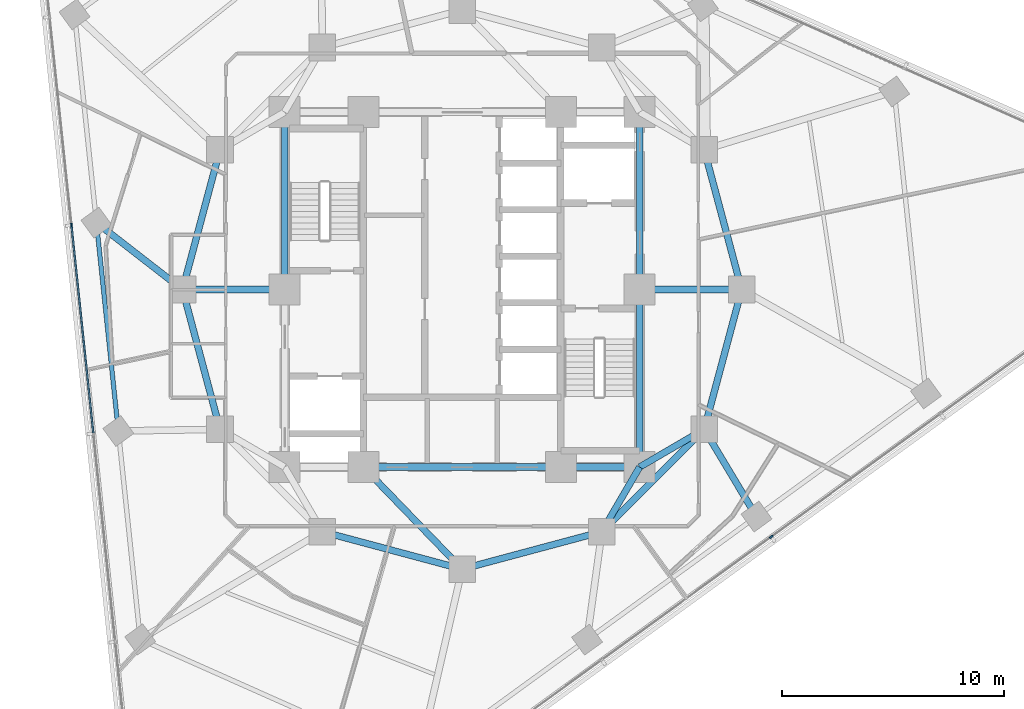
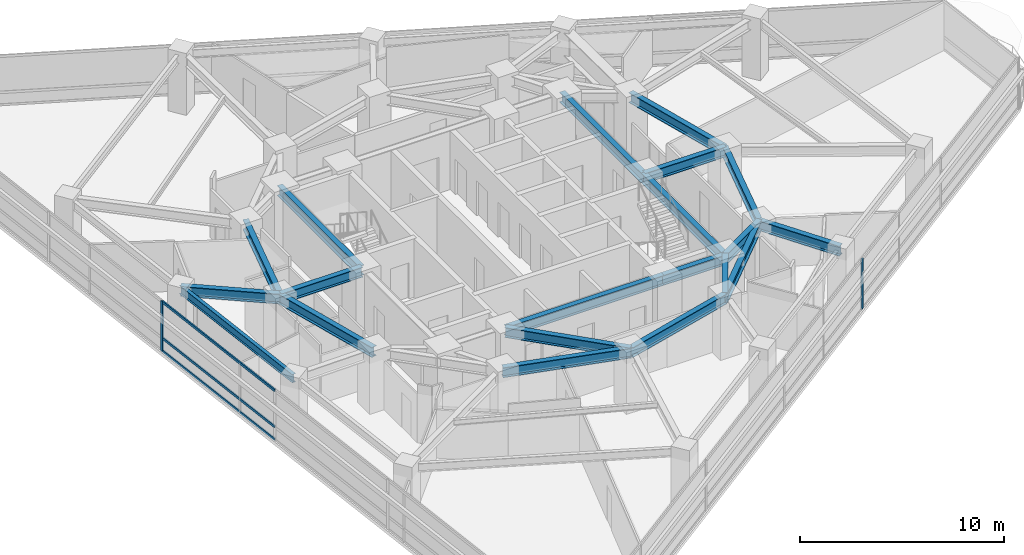
# One storey, part 3 of 14: 20 beams, 5 members, 2 elements without a shape of their own.
"""IFC4 building model written with IfcOpenShell, lengths in metres."""

from ifc_helpers import new_model, si_unit, direction, frame, origin, origin_2d, place, context, subcontext, project, spatial, rectangle, i_section, extrude, material, layer, layer_set, material_profile, profile_set, type_object, element, aggregate, save


model = new_model("IFC4")

# Units and contexts
model_context = context("Model", 3, precision=1e-05, world=origin(), true_north=direction((0.0, 1.0)))
body_context = subcontext(model_context, "Body", "Model", "MODEL_VIEW")
ifc_project = project(units=[si_unit("LENGTHUNIT", "METRE"), si_unit("AREAUNIT", "SQUARE_METRE"), si_unit("VOLUMEUNIT", "CUBIC_METRE"), si_unit("PLANEANGLEUNIT", "RADIAN"), si_unit("MASSUNIT", "GRAM", prefix="KILO")], contexts=[model_context])

# Site, building, storey
site_placement = place(None, origin())
site = spatial("IfcSite", under=ifc_project, at=site_placement, CompositionType="ELEMENT")
building_placement = place(site_placement, origin())
building = spatial("IfcBuilding", under=site, at=building_placement, Name="Terralouvre Media Tower", CompositionType="ELEMENT")
storey_placement = place(building_placement, frame((0.0, 0.0, 173.10009765625)))
storey = spatial("IfcBuildingStorey", under=building, at=storey_placement, Name="L44", CompositionType="ELEMENT", Elevation=173.10009765625)

# Curtain wall, members
ifc_material_1 = material(Name="Low-iron laminated double glazing with solar-control coating", Category="glass")
ifc_layer = layer(ifc_material_1, 0.1650390625, Name="Production Studio Tower Curtain Wall CW-03")
ifc_layer_set = layer_set([ifc_layer], Name="Low-iron laminated double glazing with solar-control coating")
curtain_wall_type = type_object("IfcCurtainWallType", Name="Production Studio Tower Curtain Wall CW-03", PredefinedType="NOTDEFINED", material=ifc_layer_set)
curtain_wall_1_placement = place(storey_placement, origin())
curtain_wall_1 = element("IfcCurtainWall", 1, at=curtain_wall_1_placement, inside=storey, type_object=curtain_wall_type, Name="L44 Facade Curtain Wall F2", PredefinedType="NOTDEFINED")
ifc_material_2 = material(Name="Anodised extruded aluminium 6063-T6", Category="aluminium")
ifc_material_profile_1 = material_profile(ifc_material_2, rectangle(XDim=0.074951171875, YDim=0.14990234375, at=origin_2d()), Name="ALU 75x150")
ifc_profile_set_1 = profile_set([ifc_material_profile_1], Name="Anodised extruded aluminium 6063-T6")
member_type_1 = type_object("IfcMemberType", Name="Curtain-Wall Horizontal Transom TR-150", PredefinedType="USERDEFINED", material=ifc_profile_set_1)
member_1_placement = place(storey_placement, frame((-17.6005859375, 2.8583984375, 0.037353515625), z_axis=(0.104512438861, -0.994523579471, 0.0), x_axis=(0.994523579471, 0.104512438861, 0.0)))
member_1 = element("IfcMember", 2, at=member_1_placement, type_object=member_type_1, Name="CW-03 transom 3.1", ObjectType="TRANSOM", PredefinedType="USERDEFINED", context=body_context, shape_type="SweptSolid", body=[
    extrude(rectangle(XDim=0.074951171875, YDim=0.14990234375, at=origin_2d()), origin(), (0.0, 0.0, 1.0), 9.364990234375),
])
member_2_placement = place(storey_placement, frame((-17.6005859375, 2.8583984375, 0.7998046875), z_axis=(0.104512438861, -0.994523579471, 0.0), x_axis=(0.994523579471, 0.104512438861, 0.0)))
member_2 = element("IfcMember", 3, at=member_2_placement, type_object=member_type_1, Name="CW-03 transom 3.2", ObjectType="TRANSOM", PredefinedType="USERDEFINED", context=body_context, shape_type="SweptSolid", body=[
    extrude(rectangle(XDim=0.074951171875, YDim=0.14990234375, at=origin_2d()), origin(), (0.0, 0.0, 1.0), 9.364990234375),
])
member_3_placement = place(storey_placement, frame((-17.6005859375, 2.8583984375, 2.96240234375), z_axis=(0.104512438861, -0.994523579471, 0.0), x_axis=(0.994523579471, 0.104512438861, 0.0)))
member_3 = element("IfcMember", 4, at=member_3_placement, type_object=member_type_1, Name="CW-03 transom 3.3", ObjectType="TRANSOM", PredefinedType="USERDEFINED", context=body_context, shape_type="SweptSolid", body=[
    extrude(rectangle(XDim=0.074951171875, YDim=0.14990234375, at=origin_2d()), origin(), (0.0, 0.0, 1.0), 9.364990234375),
])

# Curtain wall, member
curtain_wall_2_placement = place(storey_placement, origin())
curtain_wall_2 = element("IfcCurtainWall", 5, at=curtain_wall_2_placement, inside=storey, type_object=curtain_wall_type, Name="L44 Facade Curtain Wall F0", PredefinedType="NOTDEFINED")
ifc_material_3 = material(Name="Anodised extruded aluminium 6063-T6", Category="aluminium")
ifc_material_profile_2 = material_profile(ifc_material_3, rectangle(XDim=0.074951171875, YDim=0.179931640625, at=origin_2d()), Name="ALU 75x180")
ifc_profile_set_2 = profile_set([ifc_material_profile_2], Name="Anodised extruded aluminium 6063-T6")
member_type_2 = type_object("IfcMemberType", Name="Curtain-Wall Vertical Mullion ML-180", PredefinedType="MULLION", material=ifc_profile_set_2)
member_4_placement = place(storey_placement, frame((13.931640625, -11.145263671875, 0.0), z_axis=(0.0, 0.0, 1.0), x_axis=(-0.587785358263, 0.809016917383, 0.0)))
member_4 = element("IfcMember", 6, at=member_4_placement, type_object=member_type_2, Name="CW-03 mullion 4", PredefinedType="MULLION", context=body_context, shape_type="SweptSolid", body=[
    extrude(rectangle(XDim=0.074951171875, YDim=0.179931640625, at=origin_2d()), origin(), (0.0, 0.0, 1.0), 3.0),
])
aggregate(curtain_wall_2, [member_4])

# Member
member_5_placement = place(storey_placement, frame((-17.6044921875, 2.895751953125, 0.0), z_axis=(0.0, 0.0, 1.0), x_axis=(0.994521904516, 0.104528376236, 0.0)))
member_5 = element("IfcMember", 7, at=member_5_placement, type_object=member_type_2, Name="CW-03 mullion 3", PredefinedType="MULLION", context=body_context, shape_type="SweptSolid", body=[
    extrude(rectangle(XDim=0.074951171875, YDim=0.179931640625, at=origin_2d()), origin(), (0.0, 0.0, 1.0), 3.0),
])

aggregate(curtain_wall_1, [member_5, member_1, member_2, member_3])

# Beams
ifc_material_4 = material(Name="Structural steel S355J2", Category="steel")
ifc_material_profile_3 = material_profile(ifc_material_4, i_section(OverallWidth=0.199951171875, OverallDepth=0.5, WebThickness=0.01025390625, FlangeThickness=0.01611328125, at=origin_2d()), Name="IPE 500")
ifc_profile_set_3 = profile_set([ifc_material_profile_3], Name="Structural steel S355J2")
beam_type_1 = type_object("IfcBeamType", Name="Perimeter Spandrel Beam SPB-500 (IPE 500)", PredefinedType="SPANDREL", material=ifc_profile_set_3)
beam_1_placement = place(storey_placement, frame((-16.480712890625, 3.013916015625, 3.25), z_axis=(0.104508425148, -0.994524001255, 0.0), x_axis=(0.994524001255, 0.104508425148, 0.0)))
element("IfcBeam", 8, at=beam_1_placement, inside=storey, type_object=beam_type_1, Name="L44 Framing Beam BM-L44-PR12", PredefinedType="SPANDREL", context=body_context, shape_type="SweptSolid", body=[
    extrude(i_section(OverallWidth=0.199951171875, OverallDepth=0.5, WebThickness=0.01025390625, FlangeThickness=0.01611328125, at=origin_2d()), origin(), (0.0, 0.0, 1.0), 9.440185546875),
])
ifc_material_5 = material(Name="Structural steel S460M", Category="steel")
ifc_material_profile_4 = material_profile(ifc_material_5, i_section(OverallWidth=0.300048828125, OverallDepth=0.60009765625, WebThickness=0.015380859375, FlangeThickness=0.030029296875, at=origin_2d()), Name="HEB 600")
ifc_profile_set_4 = profile_set([ifc_material_profile_4], Name="Structural steel S460M")
beam_type_2 = type_object("IfcBeamType", Name="Primary Floor Girder B-HEB600 (HEB 600)", PredefinedType="BEAM", material=ifc_profile_set_4)
beam_2_placement = place(storey_placement, frame((-4.449951171875, -8.0, 3.199951171875), z_axis=(1.0, 0.0, 0.0), x_axis=(0.0, 1.0, 0.0)))
element("IfcBeam", 9, at=beam_2_placement, inside=storey, type_object=beam_type_2, Name="L44 Framing Beam BM-L44-CPR02", PredefinedType="BEAM", context=body_context, shape_type="SweptSolid", body=[
    extrude(i_section(OverallWidth=0.300048828125, OverallDepth=0.60009765625, WebThickness=0.015380859375, FlangeThickness=0.030029296875, at=origin_2d()), origin(), (0.0, 0.0, 1.0), 8.89990234375),
])
beam_3_placement = place(storey_placement, frame((4.449951171875, -8.0, 3.199951171875), z_axis=(1.0, 0.0, 0.0), x_axis=(0.0, 1.0, 0.0)))
element("IfcBeam", 10, at=beam_3_placement, inside=storey, type_object=beam_type_2, Name="L44 Framing Beam BM-L44-CPR03", PredefinedType="BEAM", context=body_context, shape_type="SweptSolid", body=[
    extrude(i_section(OverallWidth=0.300048828125, OverallDepth=0.60009765625, WebThickness=0.015380859375, FlangeThickness=0.030029296875, at=origin_2d()), origin(), (0.0, 0.0, 1.0), 3.550048828125),
])
for number, where, z_axis, x_axis, name in (
    (11, (8.0, -8.0, 3.199951171875), (0.0, 1.0, 0.0), (-1.0, 0.0, 0.0), "L44 Framing Beam BM-L44-CPR04"),
    (12, (8.0, 0.0, 3.199951171875), (0.0, 1.0, 0.0), (-1.0, 0.0, 0.0), "L44 Framing Beam BM-L44-CPR05"),
    (13, (-8.0, 8.0, 3.199951171875), (0.0, -1.0, 0.0), (1.0, 0.0, 0.0), "L44 Framing Beam BM-L44-CPR09"),
):
    element("IfcBeam", number, at=place(storey_placement, frame(where, z_axis=z_axis, x_axis=x_axis)), inside=storey, type_object=beam_type_2, Name=name, PredefinedType="BEAM", context=body_context, shape_type="SweptSolid", body=[
        extrude(i_section(OverallWidth=0.300048828125, OverallDepth=0.60009765625, WebThickness=0.015380859375, FlangeThickness=0.030029296875, at=origin_2d()), origin(), (0.0, 0.0, 1.0), 8.0),
    ])
for number, where, z_axis, x_axis, name in (
    (14, (-6.300048828125, -10.911865234375, 3.199951171875), (0.965920481897, -0.258838989821, 0.0), (0.258838989821, 0.965920481897, 0.0), "L44 Framing Beam BM-L44-MR02"),
    (15, (0.0, -12.60009765625, 3.199951171875), (0.965920481897, 0.258838989821, 0.0), (-0.258838989821, 0.965920481897, 0.0), "L44 Framing Beam BM-L44-MR03"),
):
    element("IfcBeam", number, at=place(storey_placement, frame(where, z_axis=z_axis, x_axis=x_axis)), inside=storey, type_object=beam_type_2, Name=name, PredefinedType="BEAM", context=body_context, shape_type="SweptSolid", body=[
        extrude(i_section(OverallWidth=0.300048828125, OverallDepth=0.60009765625, WebThickness=0.015380859375, FlangeThickness=0.030029296875, at=origin_2d()), origin(), (0.0, 0.0, 1.0), 6.522216796875),
    ])
beam_4_placement = place(storey_placement, frame((6.300048828125, -10.911865234375, 3.199951171875), z_axis=(0.707106781187, 0.707106781187, 0.0), x_axis=(-0.707106781187, 0.707106781187, 0.0)))
element("IfcBeam", 16, at=beam_4_placement, inside=storey, type_object=beam_type_2, Name="L44 Framing Beam BM-L44-MR04", PredefinedType="BEAM", context=body_context, shape_type="SweptSolid", body=[
    extrude(i_section(OverallWidth=0.300048828125, OverallDepth=0.60009765625, WebThickness=0.015380859375, FlangeThickness=0.030029296875, at=origin_2d()), origin(), (0.0, 0.0, 1.0), 6.52197265625),
])
for number, where, z_axis, x_axis, name in (
    (17, (10.911865234375, -6.300048828125, 3.199951171875), (0.258838989821, 0.965920481897, 0.0), (-0.965920481897, 0.258838989821, 0.0), "L44 Framing Beam BM-L44-MR05"),
    (18, (12.60009765625, 0.0, 3.199951171875), (-0.258838989821, 0.965920481897, 0.0), (-0.965920481897, -0.258838989821, 0.0), "L44 Framing Beam BM-L44-MR06"),
    (19, (-10.911865234375, 6.300048828125, 3.199951171875), (-0.258838989821, -0.965920481897, 0.0), (0.965920481897, -0.258838989821, 0.0), "L44 Framing Beam BM-L44-MR11"),
    (20, (-12.60009765625, 0.0, 3.199951171875), (0.258838989821, -0.965920481897, 0.0), (0.965920481897, 0.258838989821, 0.0), "L44 Framing Beam BM-L44-MR12"),
):
    element("IfcBeam", number, at=place(storey_placement, frame(where, z_axis=z_axis, x_axis=x_axis)), inside=storey, type_object=beam_type_2, Name=name, PredefinedType="BEAM", context=body_context, shape_type="SweptSolid", body=[
        extrude(i_section(OverallWidth=0.300048828125, OverallDepth=0.60009765625, WebThickness=0.015380859375, FlangeThickness=0.030029296875, at=origin_2d()), origin(), (0.0, 0.0, 1.0), 6.522216796875),
    ])
beam_5_placement = place(storey_placement, frame((-4.449951171875, -8.0, 3.199951171875), z_axis=(0.695279715726, -0.718739255155, 0.0), x_axis=(0.718739255155, 0.695279715726, 0.0)))
element("IfcBeam", 21, at=beam_5_placement, inside=storey, type_object=beam_type_2, Name="L44 Framing Beam BM-L44-CM03", PredefinedType="BEAM", context=body_context, shape_type="SweptSolid", body=[
    extrude(i_section(OverallWidth=0.300048828125, OverallDepth=0.60009765625, WebThickness=0.015380859375, FlangeThickness=0.030029296875, at=origin_2d()), origin(), (0.0, 0.0, 1.0), 6.400146484375),
])
for number, where, z_axis, x_axis, name in (
    (22, (8.0, -8.0, 3.199951171875), (-0.504172629717, -0.863602894532, 0.0), (0.863602894532, -0.504172629717, 0.0), "L44 Framing Beam BM-L44-CM04"),
    (23, (8.0, -8.0, 3.199951171875), (0.863602894532, 0.504172629717, 0.0), (-0.504172629717, 0.863602894532, 0.0), "L44 Framing Beam BM-L44-CM05"),
):
    element("IfcBeam", number, at=place(storey_placement, frame(where, z_axis=z_axis, x_axis=x_axis)), inside=storey, type_object=beam_type_2, Name=name, PredefinedType="BEAM", context=body_context, shape_type="SweptSolid", body=[
        extrude(i_section(OverallWidth=0.300048828125, OverallDepth=0.60009765625, WebThickness=0.015380859375, FlangeThickness=0.030029296875, at=origin_2d()), origin(), (0.0, 0.0, 1.0), 3.371826171875),
    ])
for number, where, z_axis, x_axis, name in (
    (24, (8.0, 0.0, 3.199951171875), (1.0, 0.0, 0.0), (0.0, 1.0, 0.0), "L44 Framing Beam BM-L44-CM06"),
    (25, (-8.0, 0.0, 3.199951171875), (-1.0, 0.0, 0.0), (0.0, -1.0, 0.0), "L44 Framing Beam BM-L44-CM12"),
):
    element("IfcBeam", number, at=place(storey_placement, frame(where, z_axis=z_axis, x_axis=x_axis)), inside=storey, type_object=beam_type_2, Name=name, PredefinedType="BEAM", context=body_context, shape_type="SweptSolid", body=[
        extrude(i_section(OverallWidth=0.300048828125, OverallDepth=0.60009765625, WebThickness=0.015380859375, FlangeThickness=0.030029296875, at=origin_2d()), origin(), (0.0, 0.0, 1.0), 4.60009765625),
    ])
beam_6_placement = place(storey_placement, frame((10.911865234375, -6.300048828125, 3.199951171875), z_axis=(0.514041286901, -0.857765443091, 0.0), x_axis=(0.857765443091, 0.514041286901, 0.0)))
element("IfcBeam", 26, at=beam_6_placement, inside=storey, type_object=beam_type_2, Name="L44 Framing Beam BM-L44-RD05", PredefinedType="BEAM", context=body_context, shape_type="SweptSolid", body=[
    extrude(i_section(OverallWidth=0.300048828125, OverallDepth=0.60009765625, WebThickness=0.015380859375, FlangeThickness=0.030029296875, at=origin_2d()), origin(), (0.0, 0.0, 1.0), 4.582763671875),
])
beam_7_placement = place(storey_placement, frame((-12.60009765625, 0.0, 3.199951171875), z_axis=(-0.78978010095, 0.613390081549, 0.0), x_axis=(-0.613390081549, -0.78978010095, 0.0)))
element("IfcBeam", 27, at=beam_7_placement, inside=storey, type_object=beam_type_2, Name="L44 Framing Beam BM-L44-RD12", PredefinedType="BEAM", context=body_context, shape_type="SweptSolid", body=[
    extrude(i_section(OverallWidth=0.300048828125, OverallDepth=0.60009765625, WebThickness=0.015380859375, FlangeThickness=0.030029296875, at=origin_2d()), origin(), (0.0, 0.0, 1.0), 4.91357421875),
])

save(model, "model.ifc")
